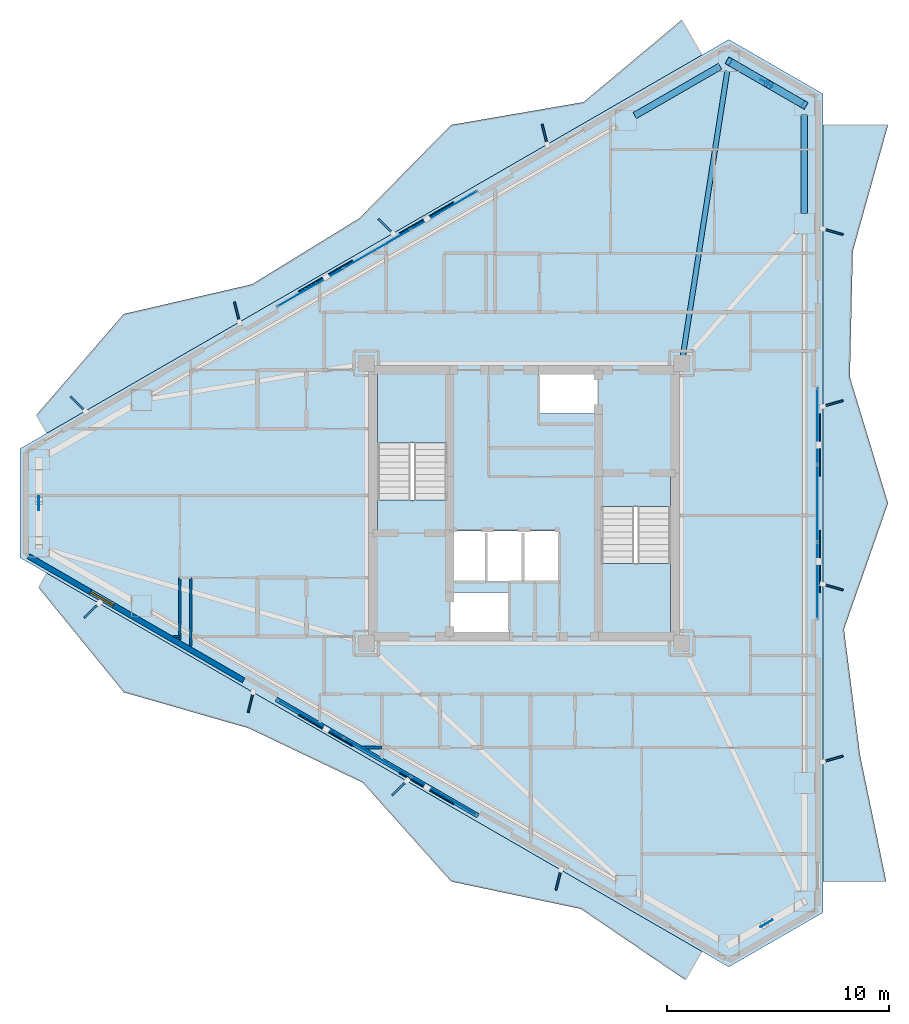
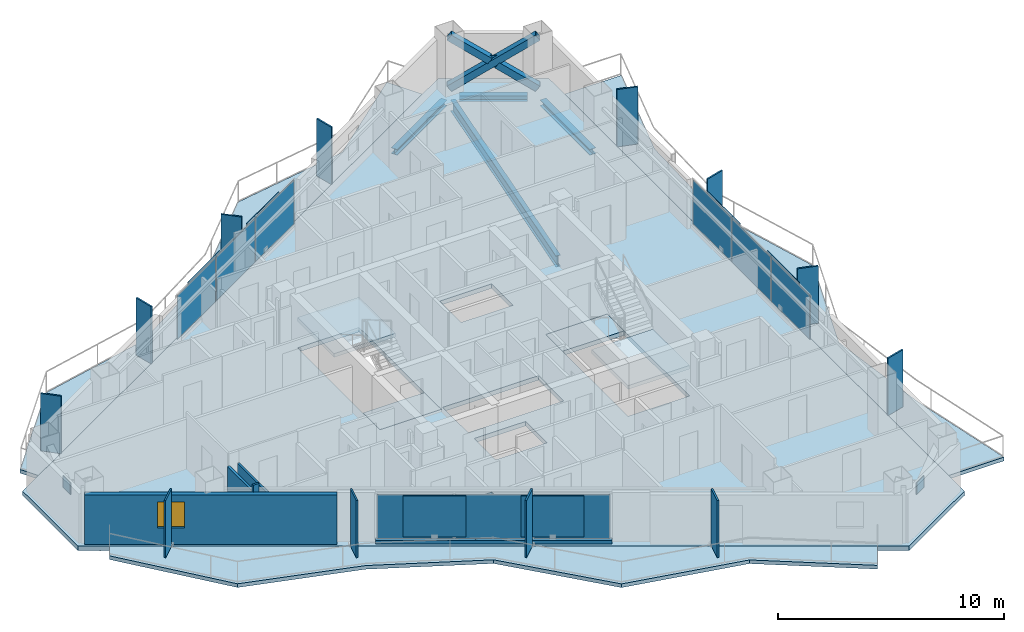
# One storey, part 11 of 19: 30 plates, 8 slabs, 6 walls, 4 beams, 3 members, 1 window, 1 opening, 5 elements without a shape of their own.
"""IFC4 building model written with IfcOpenShell, lengths in metres."""

import ifcopenshell
import ifcopenshell.guid

model = None  # the IFC model being written
_history = None  # IfcOwnerHistory: only IFC2X3 demands one
_inside = {}  # id of a spatial element -> (the spatial element, [elements in it])
_under = {}  # id of a project, library or spatial element -> (it, [spatial elements below it])
_declared = {}  # id of a project -> (the project, [libraries it declares])
_typed = {}  # id of a type object -> (the type object, [elements of that type])
_made_of = {}  # id of a material, layer set ... -> (it, [elements and type objects made of it])


def new_model(schema):
    """Start an empty IFC model of exactly this schema.

    Asked for "IFC4X3", IfcOpenShell would pick the latest addendum, in which some entities
    have other attributes; the version numbers below select the first issue.
    IFC2X3 requires an IfcOwnerHistory on every rooted entity: one is made here for all.
    """
    global model, _history
    if schema == "IFC4X3":
        model = ifcopenshell.file(schema_version=(4, 3, 0, 0))
    else:
        model = ifcopenshell.file(schema=schema)
    _inside.clear()
    _under.clear()
    _declared.clear()
    _typed.clear()
    _made_of.clear()
    _history = None
    if model.schema == "IFC2X3":
        org = make("IfcOrganization", Name="unknown")
        user = make(
            "IfcPersonAndOrganization",
            ThePerson=make("IfcPerson", FamilyName="unknown"),
            TheOrganization=org,
        )
        app = make(
            "IfcApplication",
            ApplicationDeveloper=org,
            Version="unknown",
            ApplicationFullName="unknown",
            ApplicationIdentifier="unknown",
        )
        _history = make(
            "IfcOwnerHistory",
            OwningUser=user,
            OwningApplication=app,
            ChangeAction="ADDED",
            CreationDate=0,
        )
    return model


def make(cls, **values):
    """One entity of the class cls with the attributes given. An attribute that is None is left unset."""
    return model.create_entity(
        cls, **{name: value for name, value in values.items() if value is not None}
    )


def rooted(cls, **values):
    """An entity with a GlobalId (a new one), such as an element, a storey or a relation."""
    return make(cls, GlobalId=ifcopenshell.guid.new(), OwnerHistory=_history, **values)


def si_unit(unit_type, name, prefix=None):
    """IfcSIUnit, for example si_unit("LENGTHUNIT", "METRE", prefix="MILLI")."""
    return make("IfcSIUnit", UnitType=unit_type, Prefix=prefix, Name=name)


def assignment(units):
    """IfcUnitAssignment: the units of a project."""
    return None if units is None else make("IfcUnitAssignment", Units=units)


def point(xyz):
    """IfcCartesianPoint."""
    return None if xyz is None else make("IfcCartesianPoint", Coordinates=xyz)


def direction(xyz):
    """IfcDirection."""
    return None if xyz is None else make("IfcDirection", DirectionRatios=xyz)


def frame(location, z_axis=None, x_axis=None):
    """IfcAxis2Placement3D, a coordinate frame: its origin and axes. An axis left out is left unset."""
    return make(
        "IfcAxis2Placement3D",
        Location=point(location),
        Axis=direction(z_axis),
        RefDirection=direction(x_axis),
    )


def frame_2d(location, x_axis=None):
    """IfcAxis2Placement2D, a coordinate frame in the plane: its origin and x axis."""
    return make(
        "IfcAxis2Placement2D", Location=point(location), RefDirection=direction(x_axis)
    )


def origin():
    """The frame at (0, 0, 0) with its axes left unset."""
    return frame((0.0, 0.0, 0.0))


def origin_2d():
    """The frame at (0, 0) in the plane with its x axis left unset."""
    return frame_2d((0.0, 0.0))


def place(relative_to, where):
    """IfcLocalPlacement: puts the frame where relative to a parent placement (None: the world)."""
    return make(
        "IfcLocalPlacement", PlacementRelTo=relative_to, RelativePlacement=where
    )


def context(
    kind, dimensions, precision=None, world=None, true_north=None, identifier=None
):
    """IfcGeometricRepresentationContext, for example the 3D "Model" context."""
    return make(
        "IfcGeometricRepresentationContext",
        ContextIdentifier=identifier,
        ContextType=kind,
        CoordinateSpaceDimension=dimensions,
        Precision=precision,
        WorldCoordinateSystem=world,
        TrueNorth=true_north,
    )


def subcontext(parent, identifier, kind, view, scale=None):
    """IfcGeometricRepresentationSubContext, for example "Body" below "Model"."""
    return make(
        "IfcGeometricRepresentationSubContext",
        ContextIdentifier=identifier,
        ContextType=kind,
        ParentContext=parent,
        TargetScale=scale,
        TargetView=view,
    )


def project(units=None, contexts=None):
    """IfcProject with its units and contexts."""
    return rooted(
        "IfcProject",
        Name="project",
        RepresentationContexts=contexts,
        UnitsInContext=assignment(units),
    )


def spatial(cls, under=None, at=None, **own):
    """A site, building, storey or space (cls), placed at a placement, below another one or the project."""
    s = rooted(cls, ObjectPlacement=at, **own)
    if under is not None:
        _under.setdefault(under.id(), (under, []))[1].append(s)
    return s


def polyline(points):
    """IfcPolyline through the points."""
    return make("IfcPolyline", Points=[point(p) for p in points])


def profile(cls, at=None, kind="AREA", **sizes):
    """A parametric profile (cls). Its sizes go by their IFC names, for example OverallWidth=200.0."""
    return make(cls, ProfileType=kind, Position=at, **sizes)


def rectangle(**sizes):
    """IfcRectangleProfileDef."""
    return profile("IfcRectangleProfileDef", **sizes)


def hollow_rectangle(**sizes):
    """IfcRectangleHollowProfileDef."""
    return profile("IfcRectangleHollowProfileDef", **sizes)


def i_section(**sizes):
    """IfcIShapeProfileDef."""
    return profile("IfcIShapeProfileDef", **sizes)


def outline(outer, holes=None, kind="AREA"):
    """IfcArbitraryClosedProfileDef: a profile drawn as a closed curve; with holes, ...WithVoids."""
    if holes is None:
        return make("IfcArbitraryClosedProfileDef", ProfileType=kind, OuterCurve=outer)
    return make(
        "IfcArbitraryProfileDefWithVoids",
        ProfileType=kind,
        OuterCurve=outer,
        InnerCurves=holes,
    )


def extrude(swept, where, along, depth):
    """IfcExtrudedAreaSolid: the profile swept, set in the frame where, extruded along a direction by depth."""
    return make(
        "IfcExtrudedAreaSolid",
        SweptArea=swept,
        Position=where,
        ExtrudedDirection=direction(along),
        Depth=depth,
    )


def shape(context_of_items, identifier, shape_type, items):
    """IfcShapeRepresentation: the items that make up one representation, for example the "Body"."""
    return make(
        "IfcShapeRepresentation",
        ContextOfItems=context_of_items,
        RepresentationIdentifier=identifier,
        RepresentationType=shape_type,
        Items=items,
    )


def material(Name=None, Category=None):
    """IfcMaterial."""
    return make("IfcMaterial", Name=Name, Category=Category)


def layer(
    of_material, thickness, ventilated=None, Name=None, Category=None, Priority=None
):
    """IfcMaterialLayer: one layer of a wall or slab, of a material (None: an air gap)."""
    return make(
        "IfcMaterialLayer",
        Material=of_material,
        LayerThickness=thickness,
        IsVentilated=ventilated,
        Name=Name,
        Category=Category,
        Priority=Priority,
    )


def layer_set(layers, Name=None):
    """IfcMaterialLayerSet."""
    return make("IfcMaterialLayerSet", MaterialLayers=layers, LayerSetName=Name)


def material_profile(
    of_material, cross_section, Name=None, Category=None, Priority=None
):
    """IfcMaterialProfile: a cross section and its material."""
    return make(
        "IfcMaterialProfile",
        Name=Name,
        Material=of_material,
        Profile=cross_section,
        Priority=Priority,
        Category=Category,
    )


def profile_set(profiles, Name=None, composite=None):
    """IfcMaterialProfileSet."""
    return make(
        "IfcMaterialProfileSet",
        Name=Name,
        MaterialProfiles=profiles,
        CompositeProfile=composite,
    )


def made_of(thing, what):
    """Note that an element or type object is made of a material, layer set ...; save() writes the relation."""
    if what is not None:
        _made_of.setdefault(what.id(), (what, []))[1].append(thing)
    return thing


def type_object(cls, material=None, **own):
    """A type object (cls), such as IfcWallType, which elements share."""
    return made_of(rooted(cls, **own), material)


def element(
    cls,
    number,
    at=None,
    inside=None,
    cuts=None,
    type_object=None,
    material=None,
    context=None,
    identifier="Body",
    shape_type=None,
    held_by="IfcProductDefinitionShape",
    body=None,
    shapes=None,
    **own,
):
    """One element of the class cls, such as IfcWall. Its Tag is "e" and its number.

    at: its placement. inside: the storey or other place that contains it. cuts: it is an
    opening in that element (IfcRelVoidsElement). A single representation is given by context,
    identifier, shape_type and body (its items); several are given by shapes. held_by: the class
    of the entity that holds the representations. save() writes the other relations.
    """
    e = rooted(cls, Tag="e%d" % number, ObjectPlacement=at, **own)
    if body is not None:
        shapes = [shape(context, identifier, shape_type, body)]
    if shapes is not None:
        e.Representation = make(held_by, Representations=shapes)
    if inside is not None:
        _inside.setdefault(inside.id(), (inside, []))[1].append(e)
    if cuts is not None:
        rooted(
            "IfcRelVoidsElement", RelatingBuildingElement=cuts, RelatedOpeningElement=e
        )
    if type_object is not None:
        _typed.setdefault(type_object.id(), (type_object, []))[1].append(e)
    return made_of(e, material)


def fill(opening, filler):
    """IfcRelFillsElement: the door or window that sits in an opening."""
    return rooted(
        "IfcRelFillsElement",
        RelatingOpeningElement=opening,
        RelatedBuildingElement=filler,
    )


def aggregate(whole, parts):
    """IfcRelAggregates: a whole, such as a stair, and the parts it consists of."""
    return rooted("IfcRelAggregates", RelatingObject=whole, RelatedObjects=parts)


def save(model, path):
    """Write the relations noted so far, then the file.

    IfcRelAggregates (storeys below a building ...), IfcRelContainedInSpatialStructure (elements
    in a storey), IfcRelDefinesByType, IfcRelAssociatesMaterial and IfcRelDeclares: one each for
    every whole, place, type object, material and project.
    """
    for whole, parts in _under.values():
        aggregate(whole, parts)
    for where, things in _inside.values():
        rooted(
            "IfcRelContainedInSpatialStructure",
            RelatedElements=things,
            RelatingStructure=where,
        )
    for kind, things in _typed.values():
        rooted("IfcRelDefinesByType", RelatedObjects=things, RelatingType=kind)
    for what, things in _made_of.values():
        rooted("IfcRelAssociatesMaterial", RelatedObjects=things, RelatingMaterial=what)
    for by, libraries in _declared.values():
        rooted("IfcRelDeclares", RelatingContext=by, RelatedDefinitions=libraries)
    model.write(path)


model = new_model("IFC4")

# Units and contexts
model_context = context("Model", 3, precision=1e-05, world=origin(), true_north=direction((0.0, 1.0)))
body_context = subcontext(model_context, "Body", "Model", "MODEL_VIEW")
ifc_project = project(units=[si_unit("LENGTHUNIT", "METRE"), si_unit("AREAUNIT", "SQUARE_METRE"), si_unit("VOLUMEUNIT", "CUBIC_METRE"), si_unit("PLANEANGLEUNIT", "RADIAN"), si_unit("MASSUNIT", "GRAM", prefix="KILO")], contexts=[model_context])

# Site, building, storey
site_placement = place(None, origin())
site = spatial("IfcSite", under=ifc_project, at=site_placement, CompositionType="ELEMENT")
building_placement = place(site_placement, origin())
building = spatial("IfcBuilding", under=site, at=building_placement, Name="Mersakhor Tower and Convention Hall", CompositionType="ELEMENT")
storey_placement = place(building_placement, frame((0.0, 0.0, 141.0)))
storey = spatial("IfcBuildingStorey", under=building, at=storey_placement, Name="L39", CompositionType="ELEMENT", Elevation=141.0)

# Beams
ifc_material_1 = material(Name="Steel S355", Category="steel")
ifc_material_profile_1 = material_profile(ifc_material_1, i_section(OverallWidth=0.22900390625, OverallDepth=0.6123046875, WebThickness=0.011962890625, FlangeThickness=0.01953125, at=origin_2d()), Name="UB 610x229x125")
ifc_profile_set_1 = profile_set([ifc_material_profile_1], Name="Steel S355")
beam_type_1 = type_object("IfcBeamType", Name="BM-PR-610", PredefinedType="BEAM", material=ifc_profile_set_1)
beam_1_placement = place(storey_placement, frame((36.15478515625, 33.40087890625, -0.546142578125), z_axis=(0.154111159783, 0.988053515975, 0.0), x_axis=(-0.988053515975, 0.154111159783, 0.0)))
element("IfcBeam", 1, at=beam_1_placement, inside=storey, type_object=beam_type_1, Name="L39 Primary Floor Girder FG-2", PredefinedType="BEAM", context=body_context, shape_type="SweptSolid", body=[
    extrude(i_section(OverallWidth=0.22900390625, OverallDepth=0.6123046875, WebThickness=0.011962890625, FlangeThickness=0.01953125, at=origin_2d()), origin(), (0.0, 0.0, 1.0), 12.94921875),
])
ifc_material_2 = material(Name="Steel S355", Category="steel")
ifc_material_profile_2 = material_profile(ifc_material_2, i_section(OverallWidth=0.30908203125, OverallDepth=0.320556640625, WebThickness=0.013916015625, FlangeThickness=0.021728515625, at=origin_2d()), Name="UC 305x305x137")
ifc_profile_set_2 = profile_set([ifc_material_profile_2], Name="Steel S355")
beam_type_2 = type_object("IfcBeamType", Name="BM-SPD-UC305", PredefinedType="SPANDREL", material=ifc_profile_set_2)
beam_2_placement = place(storey_placement, frame((33.986572265625, 44.200439453125, -0.400146484375), z_axis=(0.866038875684, 0.49997666526, 0.0), x_axis=(-0.49997666526, 0.866038875684, 0.0)))
element("IfcBeam", 2, at=beam_2_placement, inside=storey, type_object=beam_type_2, Name="L39 Perimeter Spandrel Beam SPB-03", PredefinedType="SPANDREL", context=body_context, shape_type="SweptSolid", body=[
    extrude(i_section(OverallWidth=0.30908203125, OverallDepth=0.320556640625, WebThickness=0.013916015625, FlangeThickness=0.021728515625, at=origin_2d()), origin(), (0.0, 0.0, 1.0), 4.433837890625),
])
beam_3_placement = place(storey_placement, frame((38.614501953125, 46.417236328125, -0.400146484375), z_axis=(0.86604667077, -0.499963162692, 0.0), x_axis=(0.499963162692, 0.86604667077, 0.0)))
element("IfcBeam", 3, at=beam_3_placement, inside=storey, type_object=beam_type_2, Name="L39 Perimeter Spandrel Beam SPB-04", PredefinedType="SPANDREL", context=body_context, shape_type="SweptSolid", body=[
    extrude(i_section(OverallWidth=0.30908203125, OverallDepth=0.320556640625, WebThickness=0.013916015625, FlangeThickness=0.021728515625, at=origin_2d()), origin(), (0.0, 0.0, 1.0), 3.014404296875),
])
beam_4_placement = place(storey_placement, frame((41.619140625, 44.2275390625, -0.400146484375), z_axis=(0.0, -1.0, 0.0), x_axis=(1.0, 0.0, 0.0)))
element("IfcBeam", 4, at=beam_4_placement, inside=storey, type_object=beam_type_2, Name="L39 Perimeter Spandrel Beam SPB-05", PredefinedType="SPANDREL", context=body_context, shape_type="SweptSolid", body=[
    extrude(i_section(OverallWidth=0.30908203125, OverallDepth=0.320556640625, WebThickness=0.013916015625, FlangeThickness=0.021728515625, at=origin_2d()), origin(), (0.0, 0.0, 1.0), 4.433837890625),
])

# Members
ifc_material_3 = material(Name="Steel S460", Category="steel")
ifc_material_profile_3 = material_profile(ifc_material_3, hollow_rectangle(XDim=0.35009765625, YDim=0.35009765625, WallThickness=0.02001953125, at=origin_2d()), Name="SHS 350x350x20")
ifc_profile_set_3 = profile_set([ifc_material_profile_3], Name="Steel S460")
member_type = type_object("IfcMemberType", Name="MB-BRC-SHS350", PredefinedType="BRACE", material=ifc_profile_set_3)
member_placement = place(storey_placement, frame((38.220458984375, 46.644775390625, 0.14990234375), z_axis=(0.70838533923, -0.408971551713, 0.575267312693), x_axis=(0.499986324622, 0.866033299124, 0.0)))
element("IfcMember", 5, at=member_placement, inside=storey, type_object=member_type, Name="L39 Chamfer Braced Frame Diagonal CB-1A", PredefinedType="BRACE", context=body_context, shape_type="SweptSolid", body=[
    extrude(hollow_rectangle(XDim=0.35009765625, YDim=0.35009765625, WallThickness=0.02001953125, at=origin_2d()), origin(), (0.0, 0.0, 1.0), 4.7978515625),
])
for number, where, z_axis, x_axis, name in (
    (6, (41.619140625, 44.6826171875, 0.14990234375), (-0.708364021879, 0.408986667212, 0.575282816143), (-0.500011469263, -0.866018781901, 0.0), "L39 Chamfer Braced Frame Diagonal CB-1B Lower Half"),
    (7, (39.782470703125, 45.742919921875, 1.6416015625), (-0.708409139881, 0.409012716899, 0.575208734242), (-0.500011469263, -0.866018781901, 0.0), "L39 Chamfer Braced Frame Diagonal CB-1B Upper Half"),
):
    element("IfcMember", number, at=place(storey_placement, frame(where, z_axis=z_axis, x_axis=x_axis)), inside=storey, type_object=member_type, Name=name, PredefinedType="BRACE", context=body_context, shape_type="SweptSolid", body=[
        extrude(hollow_rectangle(XDim=0.35009765625, YDim=0.35009765625, WallThickness=0.02001953125, at=origin_2d()), origin(), (0.0, 0.0, 1.0), 2.205078125),
    ])

# Curtain wall, plates
ifc_material_4 = material(Name="Dark solar low-E aluminium curtain wall", Category="aluminium")
ifc_layer_1 = layer(ifc_material_4, 0.169921875)
ifc_layer_set_1 = layer_set([ifc_layer_1], Name="Dark solar low-E aluminium curtain wall")
curtain_wall_type = type_object("IfcCurtainWallType", Name="CW-SYS-02", PredefinedType="USERDEFINED", material=ifc_layer_set_1)
curtain_wall_1_placement = place(storey_placement, origin())
curtain_wall_1 = element("IfcCurtainWall", 8, at=curtain_wall_1_placement, inside=storey, type_object=curtain_wall_type, Name="L39 Dark-Glass Curtain Wall F1-B2", ObjectType="CURTAIN WALL", PredefinedType="USERDEFINED")
ifc_material_5 = material(Name="Dark solar double glazing", Category="glass")
ifc_layer_2 = layer(ifc_material_5, 0.028076171875)
ifc_layer_set_2 = layer_set([ifc_layer_2], Name="Dark solar double glazing")
plate_type_1 = type_object("IfcPlateType", Name="CWP-GLZ-28", PredefinedType="CURTAIN_PANEL", material=ifc_layer_set_2)
plate_1_placement = place(storey_placement, frame((19.379638671875, 36.4599609375, 0.259765625), z_axis=(0.0, 0.0, 1.0), x_axis=(0.866030906807, 0.499990468363, 0.0)))
plate_1 = element("IfcPlate", 9, at=plate_1_placement, type_object=plate_type_1, Name="CW-02 panel 1.1", PredefinedType="CURTAIN_PANEL", context=body_context, shape_type="SweptSolid", body=[
    extrude(rectangle(XDim=3.3828125, YDim=0.028076171875, at=origin_2d()), origin(), (0.0, 0.0, 1.0), 2.360107421875),
])
plate_2_placement = place(storey_placement, frame((22.390380859375, 38.1982421875, 0.259765625), z_axis=(0.0, 0.0, 1.0), x_axis=(0.866030906807, 0.499990468363, 0.0)))
plate_2 = element("IfcPlate", 10, at=plate_2_placement, type_object=plate_type_1, Name="CW-02 panel 2.1", PredefinedType="CURTAIN_PANEL", context=body_context, shape_type="SweptSolid", body=[
    extrude(rectangle(XDim=3.42041015625, YDim=0.028076171875, at=origin_2d()), origin(), (0.0, 0.0, 1.0), 2.360107421875),
])
plate_3_placement = place(storey_placement, frame((25.401123046875, 39.9365234375, 0.259765625), z_axis=(0.0, 0.0, 1.0), x_axis=(0.866030906807, 0.499990468363, 0.0)))
plate_3 = element("IfcPlate", 11, at=plate_3_placement, type_object=plate_type_1, Name="CW-02 panel 3.1", PredefinedType="CURTAIN_PANEL", context=body_context, shape_type="SweptSolid", body=[
    extrude(rectangle(XDim=3.3828125, YDim=0.028076171875, at=origin_2d()), origin(), (0.0, 0.0, 1.0), 2.360107421875),
])
aggregate(curtain_wall_1, [plate_1, plate_2, plate_3])

curtain_wall_2_placement = place(storey_placement, origin())
curtain_wall_2 = element("IfcCurtainWall", 12, at=curtain_wall_2_placement, inside=storey, type_object=curtain_wall_type, Name="L39 Dark-Glass Curtain Wall F2-B2", ObjectType="CURTAIN WALL", PredefinedType="USERDEFINED")
plate_4_placement = place(storey_placement, frame((42.21923828125, 30.2265625, 0.259765625), z_axis=(0.0, 0.0, 1.0), x_axis=(0.0, -1.0, 0.0)))
plate_4 = element("IfcPlate", 13, at=plate_4_placement, type_object=plate_type_1, Name="CW-02 panel 1.1", PredefinedType="CURTAIN_PANEL", context=body_context, shape_type="SweptSolid", body=[
    extrude(rectangle(XDim=3.3828125, YDim=0.028076171875, at=origin_2d()), origin(), (0.0, 0.0, 1.0), 2.360107421875),
])
plate_5_placement = place(storey_placement, frame((42.21923828125, 26.75, 0.259765625), z_axis=(0.0, 0.0, 1.0), x_axis=(0.0, -1.0, 0.0)))
plate_5 = element("IfcPlate", 14, at=plate_5_placement, type_object=plate_type_1, Name="CW-02 panel 2.1", PredefinedType="CURTAIN_PANEL", context=body_context, shape_type="SweptSolid", body=[
    extrude(rectangle(XDim=3.42041015625, YDim=0.028076171875, at=origin_2d()), origin(), (0.0, 0.0, 1.0), 2.360107421875),
])
plate_6_placement = place(storey_placement, frame((42.21923828125, 23.2734375, 0.259765625), z_axis=(0.0, 0.0, 1.0), x_axis=(0.0, -1.0, 0.0)))
plate_6 = element("IfcPlate", 15, at=plate_6_placement, type_object=plate_type_1, Name="CW-02 panel 3.1", PredefinedType="CURTAIN_PANEL", context=body_context, shape_type="SweptSolid", body=[
    extrude(rectangle(XDim=3.3828125, YDim=0.028076171875, at=origin_2d()), origin(), (0.0, 0.0, 1.0), 2.360107421875),
])
aggregate(curtain_wall_2, [plate_4, plate_5, plate_6])

curtain_wall_3_placement = place(storey_placement, origin())
curtain_wall_3 = element("IfcCurtainWall", 16, at=curtain_wall_3_placement, inside=storey, type_object=curtain_wall_type, Name="L39 Dark-Glass Curtain Wall F3-B2", ObjectType="CURTAIN WALL", PredefinedType="USERDEFINED")
plate_7_placement = place(storey_placement, frame((25.401123046875, 13.5634765625, 0.259765625), z_axis=(0.0, 0.0, 1.0), x_axis=(-0.866030906807, 0.499990468363, 0.0)))
plate_7 = element("IfcPlate", 17, at=plate_7_placement, type_object=plate_type_1, Name="CW-02 panel 1.1", PredefinedType="CURTAIN_PANEL", context=body_context, shape_type="SweptSolid", body=[
    extrude(rectangle(XDim=3.3828125, YDim=0.028076171875, at=origin_2d()), origin(), (0.0, 0.0, 1.0), 2.360107421875),
])
plate_8_placement = place(storey_placement, frame((22.390380859375, 15.3017578125, 0.259765625), z_axis=(0.0, 0.0, 1.0), x_axis=(-0.866030906807, 0.499990468363, 0.0)))
plate_8 = element("IfcPlate", 18, at=plate_8_placement, type_object=plate_type_1, Name="CW-02 panel 2.1", PredefinedType="CURTAIN_PANEL", context=body_context, shape_type="SweptSolid", body=[
    extrude(rectangle(XDim=3.42041015625, YDim=0.028076171875, at=origin_2d()), origin(), (0.0, 0.0, 1.0), 2.360107421875),
])
plate_9_placement = place(storey_placement, frame((19.379638671875, 17.0400390625, 0.259765625), z_axis=(0.0, 0.0, 1.0), x_axis=(-0.866030906807, 0.499990468363, 0.0)))
plate_9 = element("IfcPlate", 19, at=plate_9_placement, type_object=plate_type_1, Name="CW-02 panel 3.1", PredefinedType="CURTAIN_PANEL", context=body_context, shape_type="SweptSolid", body=[
    extrude(rectangle(XDim=3.3828125, YDim=0.028076171875, at=origin_2d()), origin(), (0.0, 0.0, 1.0), 2.360107421875),
])
aggregate(curtain_wall_3, [plate_7, plate_8, plate_9])

# Plates
ifc_material_6 = material(Name="Ceramic-clad aluminium Zone 3 ochre-bronze", Category="aluminium")
ifc_material_7 = material(Name="Ceramic-clad aluminium Zone 1 cobalt-slate", Category="masonry")
ifc_layer_3 = layer(ifc_material_7, 0.080078125)
ifc_layer_set_3 = layer_set([ifc_layer_3], Name="Ceramic-clad aluminium Zone 1 cobalt-slate")
plate_type_2 = type_object("IfcPlateType", Name="PL-FIN-80", PredefinedType="USERDEFINED", material=ifc_layer_set_3)
for number, where, z_axis, x_axis, name in (
    (20, (8.923095703125, 31.215576171875, 0.0), (0.0, 0.0, 1.0), (-0.719339800339, 0.694658370459, 0.0), "L39 Zone 3 Coloured Brise-Soleil Fin F1-1"),
    (21, (16.078125, 35.3466796875, 0.0), (0.0, 0.0, 1.0), (-0.2419218956, 0.970295726276, 0.0), "L39 Zone 3 Coloured Brise-Soleil Fin F1-2"),
    (22, (22.779541015625, 39.215576171875, 0.0), (0.0, 0.0, 1.0), (-0.719339800339, 0.694658370459, 0.0), "L39 Zone 3 Coloured Brise-Soleil Fin F1-3"),
    (23, (29.9345703125, 43.346435546875, 0.0), (0.0, 0.0, 1.0), (-0.2419218956, 0.970295726276, 0.0), "L39 Zone 3 Coloured Brise-Soleil Fin F1-4"),
    (24, (42.90576171875, 38.9755859375, 0.0), (0.0, 0.0, 1.0), (0.961261695938, -0.275637355817, 0.0), "L39 Zone 3 Coloured Brise-Soleil Fin F2-1"),
    (25, (42.90576171875, 31.237548828125, 0.0), (0.0, 0.0, 1.0), (0.961261695938, 0.275637355817, 0.0), "L39 Zone 3 Coloured Brise-Soleil Fin F2-2"),
    (26, (42.90576171875, 22.9755859375, 0.0), (0.0, 0.0, 1.0), (0.961261695938, -0.275637355817, 0.0), "L39 Zone 3 Coloured Brise-Soleil Fin F2-3"),
    (27, (42.90576171875, 15.237548828125, 0.0), (0.0, 0.0, 1.0), (0.961261695938, 0.275637355817, 0.0), "L39 Zone 3 Coloured Brise-Soleil Fin F2-4"),
    (28, (30.55224609375, 9.796875, 0.0), (0.0, 0.0, 1.0), (-0.2419218956, -0.970295726276, 0.0), "L39 Zone 3 Coloured Brise-Soleil Fin F3-1"),
    (29, (23.397216796875, 13.927734375, 0.0), (0.0, 0.0, 1.0), (-0.719339800339, -0.694658370459, 0.0), "L39 Zone 3 Coloured Brise-Soleil Fin F3-2"),
    (30, (16.69580078125, 17.796875, 0.0), (0.0, 0.0, 1.0), (-0.2419218956, -0.970295726276, 0.0), "L39 Zone 3 Coloured Brise-Soleil Fin F3-3"),
    (31, (9.541015625, 21.927734375, 0.0), (0.0, 0.0, 1.0), (-0.719339800339, -0.694658370459, 0.0), "L39 Zone 3 Coloured Brise-Soleil Fin F3-4"),
):
    element("IfcPlate", number, at=place(storey_placement, frame(where, z_axis=z_axis, x_axis=x_axis)), inside=storey, type_object=plate_type_2, material=ifc_material_6, Name=name, ObjectType="FIN", PredefinedType="USERDEFINED", context=body_context, shape_type="SweptSolid", body=[
        extrude(rectangle(XDim=0.949951171875, YDim=0.080078125, at=origin_2d()), origin(), (0.0, 0.0, 1.0), 3.10009765625),
    ])
ifc_material_8 = material(Name="Steel S460", Category="steel")
ifc_layer_4 = layer(ifc_material_8, 0.0400390625)
ifc_layer_set_4 = layer_set([ifc_layer_4], Name="Steel S460")
plate_type_3 = type_object("IfcPlateType", Name="PL-GUSSET-40", PredefinedType="SHEET", material=ifc_layer_set_4)
for number, where, z_axis, x_axis, name in (
    (32, (39.919921875, 45.663818359375, 1.2099609375), (0.0, 0.0, 1.0), (-0.866025403784, 0.5, 0.0), "L39 X-Brace Crossing Gusset Node Plate"),
    (33, (39.919921875, 7.836181640625, 1.2099609375), (0.0, 0.0, 1.0), (0.866025403784, 0.5, 0.0), "L39 X-Brace Crossing Gusset Node Plate"),
    (34, (7.160400390625, 26.75, 1.2099609375), (0.0, 0.0, 1.0), (0.0, -1.0, 0.0), "L39 X-Brace Crossing Gusset Node Plate"),
):
    element("IfcPlate", number, at=place(storey_placement, frame(where, z_axis=z_axis, x_axis=x_axis)), inside=storey, type_object=plate_type_3, Name=name, PredefinedType="SHEET", context=body_context, shape_type="SweptSolid", body=[
        extrude(rectangle(XDim=0.639892578125, YDim=0.0400390625, at=origin_2d()), origin(), (0.0, 0.0, 1.0), 0.639892578125),
    ])
ifc_material_9 = material(Name="Perforated ceramic cobogo solar screen", Category="aluminium")
ifc_layer_5 = layer(ifc_material_9, 0.055908203125)
ifc_layer_set_5 = layer_set([ifc_layer_5], Name="Perforated ceramic cobogo solar screen")
plate_type_4 = type_object("IfcPlateType", Name="PL-SCR-56", PredefinedType="USERDEFINED", material=ifc_layer_set_5)
for number, where, z_axis, x_axis, name in (
    (35, (20.071044921875, 36.972412109375, 0.39990234375), (0.0, 0.0, 1.0), (0.866025403784, 0.5, 0.0), "L39 Perforated Ceramic Solar Screen F1-1"),
    (36, (24.61181640625, 39.59375, 0.39990234375), (0.0, 0.0, 1.0), (0.866025403784, 0.5, 0.0), "L39 Perforated Ceramic Solar Screen F1-2"),
    (37, (42.317138671875, 29.37158203125, 0.39990234375), (0.0, 0.0, 1.0), (0.0, -1.0, 0.0), "L39 Perforated Ceramic Solar Screen F2-1"),
    (38, (42.317138671875, 24.12841796875, 0.39990234375), (0.0, 0.0, 1.0), (0.0, -1.0, 0.0), "L39 Perforated Ceramic Solar Screen F2-2"),
    (39, (24.61181640625, 13.90625, 0.39990234375), (0.0, 0.0, 1.0), (-0.866025403784, 0.5, 0.0), "L39 Perforated Ceramic Solar Screen F3-1"),
    (40, (20.071044921875, 16.52783203125, 0.39990234375), (0.0, 0.0, 1.0), (-0.866025403784, 0.5, 0.0), "L39 Perforated Ceramic Solar Screen F3-2"),
):
    element("IfcPlate", number, at=place(storey_placement, frame(where, z_axis=z_axis, x_axis=x_axis)), inside=storey, type_object=plate_type_4, Name=name, ObjectType="SCREEN", PredefinedType="USERDEFINED", context=body_context, shape_type="SweptSolid", body=[
        extrude(rectangle(XDim=2.800048828125, YDim=0.055908203125, at=origin_2d()), origin(), (0.0, 0.0, 1.0), 2.22998046875),
    ])

# Slabs
ifc_material_10 = material(Name="Concrete C45/55", Category="concrete")
ifc_layer_6 = layer(ifc_material_10, 0.199951171875)
ifc_layer_set_6 = layer_set([ifc_layer_6], Name="Concrete C45/55")
slab_type_1 = type_object("IfcSlabType", Name="SL-BAL-200", PredefinedType="FLOOR", material=ifc_layer_set_6)
slab_1_placement = place(storey_placement, frame((0.0, 0.0, -0.199951171875)))
element("IfcSlab", 41, at=slab_1_placement, inside=storey, type_object=slab_type_1, Name="L39 Sinusoidal Balcony Slab Face 1", PredefinedType="FLOOR", context=body_context, shape_type="SweptSolid", body=[
    extrude(outline(polyline([(7.522705078125, 29.903076171875), (37.008056640625, 46.92626953125), (36.096923828125, 48.50439453125), (31.679443359375, 44.806884765625), (25.719482421875, 43.78076171875), (21.591796875, 39.581298828125), (16.7568359375, 36.606689453125), (10.97705078125, 35.26904296875), (7.050537109375, 30.720947265625), (7.522705078125, 29.903076171875)])), origin(), (0.0, 0.0, 1.0), 0.199951171875),
])
slab_2_placement = place(storey_placement, frame((0.0, 0.0, -0.199951171875)))
element("IfcSlab", 42, at=slab_2_placement, inside=storey, type_object=slab_type_1, Name="L39 Sinusoidal Balcony Slab Face 2", PredefinedType="FLOOR", context=body_context, shape_type="SweptSolid", body=[
    extrude(outline(polyline([(42.46923828125, 43.773193359375), (42.46923828125, 9.726806640625), (45.305908203125, 9.726806640625), (44.129638671875, 15.401123046875), (43.4033203125, 21.07568359375), (45.38916015625, 26.75), (43.670654296875, 32.42431640625), (43.802734375, 38.098876953125), (45.38916015625, 43.773193359375), (42.46923828125, 43.773193359375)])), origin(), (0.0, 0.0, 1.0), 0.199951171875),
])
slab_3_placement = place(storey_placement, frame((0.0, 0.0, -0.199951171875)))
element("IfcSlab", 43, at=slab_3_placement, inside=storey, type_object=slab_type_1, Name="L39 Sinusoidal Balcony Slab Face 3", PredefinedType="FLOOR", context=body_context, shape_type="SweptSolid", body=[
    extrude(outline(polyline([(37.008056640625, 6.57373046875), (7.522705078125, 23.596923828125), (7.147705078125, 22.947509765625), (10.981689453125, 18.239013671875), (16.6005859375, 16.62255859375), (21.738037109375, 14.172119140625), (25.719482421875, 9.71923828125), (31.560791015625, 8.487548828125), (36.2646484375, 5.2861328125), (37.008056640625, 6.57373046875)])), origin(), (0.0, 0.0, 1.0), 0.199951171875),
])
ifc_material_11 = material(Name="Concrete C40/50", Category="concrete")
ifc_layer_7 = layer(ifc_material_11, 0.239990234375)
ifc_layer_set_7 = layer_set([ifc_layer_7], Name="Concrete C40/50")
slab_type_2 = type_object("IfcSlabType", Name="SL-FLR-240", PredefinedType="FLOOR", material=ifc_layer_set_7)
slab_4_placement = place(storey_placement, frame((0.0, 0.0, -0.239990234375)))
element("IfcSlab", 44, at=slab_4_placement, inside=storey, type_object=slab_type_2, Name="L39 ST-1 Structural Stair Floor Landing", PredefinedType="LANDING", context=body_context, shape_type="SweptSolid", body=[
    extrude(outline(polyline([(25.550048828125, 25.39990234375), (25.550048828125, 26.89990234375), (22.39990234375, 26.89990234375), (22.39990234375, 25.39990234375), (25.550048828125, 25.39990234375)])), origin(), (0.0, 0.0, 1.0), 0.239990234375),
])
slab_5_placement = place(storey_placement, frame((0.0, 0.0, -0.239990234375)))
element("IfcSlab", 45, at=slab_5_placement, inside=storey, type_object=slab_type_2, Name="L39 ST-2 Structural Stair Floor Landing", PredefinedType="LANDING", context=body_context, shape_type="SweptSolid", body=[
    extrude(outline(polyline([(32.449951171875, 28.10009765625), (32.449951171875, 26.60009765625), (35.60009765625, 26.60009765625), (35.60009765625, 28.10009765625), (32.449951171875, 28.10009765625)])), origin(), (0.0, 0.0, 1.0), 0.239990234375),
])
slab_6_placement = place(storey_placement, frame((0.0, 0.0, -0.239990234375)))
element("IfcSlab", 46, at=slab_6_placement, inside=storey, type_object=slab_type_2, Name="Tower L39 Structural Floor Slab", PredefinedType="FLOOR", context=body_context, shape_type="SweptSolid", body=[
    extrude(outline(polyline([(6.310302734375, 29.202880859375), (38.220458984375, 47.626220703125), (42.46923828125, 45.17333984375), (42.46923828125, 8.32666015625), (38.220458984375, 5.873779296875), (6.310302734375, 24.297119140625), (6.310302734375, 29.202880859375)]), holes=[polyline([(25.550048828125, 25.39990234375), (25.550048828125, 32.699951171875), (22.39990234375, 32.699951171875), (22.39990234375, 25.39990234375), (25.550048828125, 25.39990234375)]), polyline([(32.449951171875, 28.10009765625), (32.449951171875, 20.800048828125), (35.60009765625, 20.800048828125), (35.60009765625, 28.10009765625), (32.449951171875, 28.10009765625)]), polyline([(25.679931640625, 20.820068359375), (25.679931640625, 22.719970703125), (28.320068359375, 22.719970703125), (28.320068359375, 20.820068359375), (25.679931640625, 20.820068359375)]), polyline([(29.679931640625, 30.780029296875), (29.679931640625, 32.679931640625), (32.320068359375, 32.679931640625), (32.320068359375, 30.780029296875), (29.679931640625, 30.780029296875)]), polyline([(25.679931640625, 23.25), (25.679931640625, 25.5), (30.570068359375, 25.5), (30.570068359375, 23.25), (25.679931640625, 23.25)])]), origin(), (0.0, 0.0, 1.0), 0.239990234375),
])

# Stair, slab
ifc_material_12 = material(Name="Concrete C45/55", Category="concrete")
stair_type = type_object("IfcStairType", Name="ST-TWR-20R", PredefinedType="HALF_TURN_STAIR", material=ifc_material_12)
stair_1_placement = place(storey_placement, origin())
stair_1 = element("IfcStair", 47, at=stair_1_placement, inside=storey, type_object=stair_type, Name="L39 Tower Protected Exit Stair ST-1", PredefinedType="HALF_TURN_STAIR")
ifc_material_13 = material(Name="Concrete C45/55", Category="concrete")
ifc_layer_8 = layer(ifc_material_13, 0.199951171875)
ifc_layer_set_8 = layer_set([ifc_layer_8], Name="Concrete C45/55")
slab_type_3 = type_object("IfcSlabType", Name="SL-LAND-200", PredefinedType="LANDING", material=ifc_layer_set_8)
slab_7_placement = place(storey_placement, frame((0.0, 0.0, 1.449951171875)))
slab_7 = element("IfcSlab", 48, at=slab_7_placement, type_object=slab_type_3, Name="ST-1 landing 1", PredefinedType="LANDING", context=body_context, shape_type="SweptSolid", body=[
    extrude(outline(polyline([(25.550048828125, 29.465087890625), (25.550048828125, 32.699951171875), (22.39990234375, 32.699951171875), (22.39990234375, 29.465087890625), (25.550048828125, 29.465087890625)])), origin(), (0.0, 0.0, 1.0), 0.199951171875),
])
aggregate(stair_1, [slab_7])

stair_2_placement = place(storey_placement, origin())
stair_2 = element("IfcStair", 49, at=stair_2_placement, inside=storey, type_object=stair_type, Name="L39 Tower Protected Exit Stair ST-2", PredefinedType="HALF_TURN_STAIR")
slab_8_placement = place(storey_placement, frame((0.0, 0.0, 1.449951171875)))
slab_8 = element("IfcSlab", 50, at=slab_8_placement, type_object=slab_type_3, Name="ST-2 landing 1", PredefinedType="LANDING", context=body_context, shape_type="SweptSolid", body=[
    extrude(outline(polyline([(32.449951171875, 24.034912109375), (32.449951171875, 20.800048828125), (35.60009765625, 20.800048828125), (35.60009765625, 24.034912109375), (32.449951171875, 24.034912109375)])), origin(), (0.0, 0.0, 1.0), 0.199951171875),
])
aggregate(stair_2, [slab_8])

# Wall, opening, window
ifc_material_14 = material(Name="Precast concrete C40/50", Category="concrete")
ifc_layer_9 = layer(ifc_material_14, 0.25)
ifc_layer_set_9 = layer_set([ifc_layer_9], Name="Precast concrete C40/50")
wall_type_1 = type_object("IfcWallType", Name="WL-EXT-250", PredefinedType="SOLIDWALL", material=ifc_layer_set_9)
wall_1_placement = place(storey_placement, frame((16.377685546875, 18.773193359375, 0.0), z_axis=(0.0, 0.0, 1.0), x_axis=(-0.866027848477, 0.499995765644, 0.0)))
wall_1 = element("IfcWall", 51, at=wall_1_placement, inside=storey, type_object=wall_type_1, Name="L39 Exterior Facade Wall F3-B3", PredefinedType="SOLIDWALL", context=body_context, shape_type="SweptSolid", body=[
    extrude(rectangle(XDim=11.18603515625, YDim=0.25, at=frame_2d((5.593017578125, 0.0))), origin(), (0.0, 0.0, 1.0), 2.679931640625),
])
opening_placement = place(wall_1_placement, frame((6.757080078125, 0.0, 0.89990234375)))
opening = element("IfcOpeningElement", 52, at=opening_placement, cuts=wall_1, Name="Opening W-01", PredefinedType="OPENING", context=body_context, shape_type="SweptSolid", body=[
    extrude(rectangle(XDim=1.199951171875, YDim=1.39990234375, at=frame_2d((0.60009765625, 0.699951171875))), frame((0.0, 0.135009765625, 0.0), z_axis=(0.0, -1.0, 0.0), x_axis=(1.0, 0.0, 0.0)), (0.0, 0.0, 1.0), 0.27001953125),
])
ifc_material_15 = material(Name="Dark solar low-E glazed aluminium window", Category="aluminium")
window_type = type_object("IfcWindowType", Name="WN-RES-120x150", PartitioningType="SINGLE_PANEL", PredefinedType="WINDOW", material=ifc_material_15)
window_placement = place(opening_placement, origin())
window = element("IfcWindow", 53, at=window_placement, inside=storey, type_object=window_type, Name="L39 Bedroom Facade Window F3-B3-1", OverallHeight=1.39990234375, OverallWidth=1.199951171875, PartitioningType="SINGLE_PANEL", PredefinedType="WINDOW", context=body_context, shape_type="SweptSolid", body=[
    extrude(rectangle(XDim=1.199951171875, YDim=1.39990234375, at=frame_2d((0.60009765625, 0.699951171875))), frame((0.0, 0.030029296875, 0.0), z_axis=(0.0, -1.0, 0.0), x_axis=(1.0, 0.0, 0.0)), (0.0, 0.0, 1.0), 0.06005859375),
])
fill(opening, window)

# Walls
ifc_material_16 = material(Name="Precast concrete C40/50", Category="concrete")
ifc_layer_10 = layer(ifc_material_16, 0.199951171875)
ifc_layer_set_10 = layer_set([ifc_layer_10], Name="Precast concrete C40/50")
wall_type_2 = type_object("IfcWallType", Name="WL-PAR-200", PredefinedType="PARAPET", material=ifc_layer_set_10)
wall_2_placement = place(storey_placement, frame((26.930908203125, 12.680419921875, 0.0), z_axis=(0.0, 0.0, 1.0), x_axis=(-0.866026619769, 0.499997893847, 0.0)))
element("IfcWall", 54, at=wall_2_placement, inside=storey, type_object=wall_type_2, Name="L39 Curtain Wall Upstand Sill F3-B2", PredefinedType="PARAPET", context=body_context, shape_type="SweptSolid", body=[
    extrude(rectangle(XDim=10.48583984375, YDim=0.199951171875, at=frame_2d((5.242919921875, 0.0))), origin(), (0.0, 0.0, 1.0), 0.199951171875),
])
ifc_material_17 = material(Name="Lightweight gypsum partition", Category="other")
ifc_layer_11 = layer(ifc_material_17, 0.10009765625)
ifc_layer_set_11 = layer_set([ifc_layer_11], Name="Lightweight gypsum partition")
wall_type_3 = type_object("IfcWallType", Name="WL-PRT-100", PredefinedType="PARTITIONING", material=ifc_layer_set_11)
wall_3_placement = place(storey_placement, frame((14.0, 20.318115234375, 0.0), z_axis=(0.0, 0.0, 1.0), x_axis=(0.0, 1.0, 0.0)))
element("IfcWall", 55, at=wall_3_placement, inside=storey, type_object=wall_type_3, Name="L39 Interior Partition Wall P-096", PredefinedType="PARTITIONING", context=body_context, shape_type="SweptSolid", body=[
    extrude(rectangle(XDim=3.081787109375, YDim=0.10009765625, at=frame_2d((1.541015625, 0.0))), origin(), (0.0, 0.0, 1.0), 2.364990234375),
])
wall_4_placement = place(storey_placement, frame((13.5, 20.75, 0.0), z_axis=(0.0, 0.0, 1.0), x_axis=(-1.0, 0.0, 0.0)))
element("IfcWall", 56, at=wall_4_placement, inside=storey, type_object=wall_type_3, Name="L39 Interior Partition Wall P-138", PredefinedType="PARTITIONING", context=body_context, shape_type="SweptSolid", body=[
    extrude(rectangle(XDim=0.293212890625, YDim=0.10009765625, at=frame_2d((0.146484375, 0.0))), origin(), (0.0, 0.0, 1.0), 3.06005859375),
])
ifc_material_18 = material(Name="Gypsum board acoustic partition", Category="other")
ifc_layer_12 = layer(ifc_material_18, 0.125)
ifc_layer_set_12 = layer_set([ifc_layer_12], Name="Gypsum board acoustic partition")
wall_type_4 = type_object("IfcWallType", Name="WL-PRT-125", PredefinedType="PARTITIONING", material=ifc_layer_set_12)
wall_5_placement = place(storey_placement, frame((22.60009765625, 15.75, 0.0), z_axis=(0.0, 0.0, 1.0), x_axis=(-1.0, 0.0, 0.0)))
element("IfcWall", 57, at=wall_5_placement, inside=storey, type_object=wall_type_4, Name="L39 Interior Partition Wall P-123", PredefinedType="PARTITIONING", context=body_context, shape_type="SweptSolid", body=[
    extrude(rectangle(XDim=0.916748046875, YDim=0.125, at=frame_2d((0.45849609375, 0.0))), origin(), (0.0, 0.0, 1.0), 2.364990234375),
])
wall_6_placement = place(storey_placement, frame((13.5, 23.39990234375, 0.0), z_axis=(0.0, 0.0, 1.0), x_axis=(0.0, -1.0, 0.0)))
element("IfcWall", 58, at=wall_6_placement, inside=storey, type_object=wall_type_4, Name="L39 Interior Partition Wall P-137", PredefinedType="PARTITIONING", context=body_context, shape_type="SweptSolid", body=[
    extrude(rectangle(XDim=2.793212890625, YDim=0.125, at=frame_2d((1.396484375, 0.0))), origin(), (0.0, 0.0, 1.0), 2.364990234375),
])

save(model, "model.ifc")
